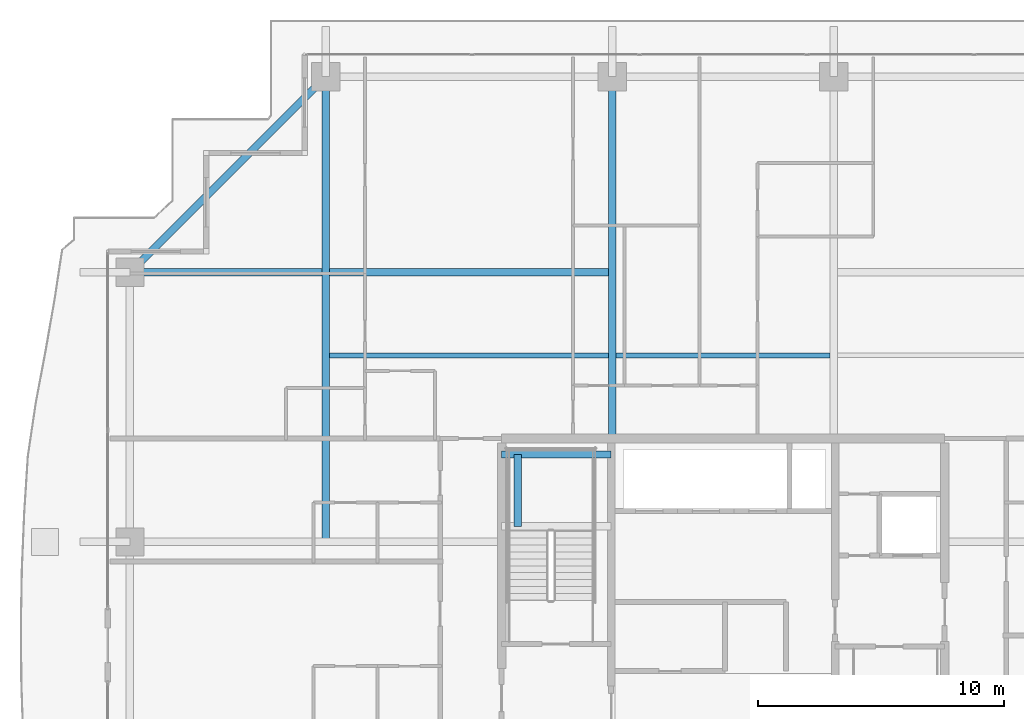
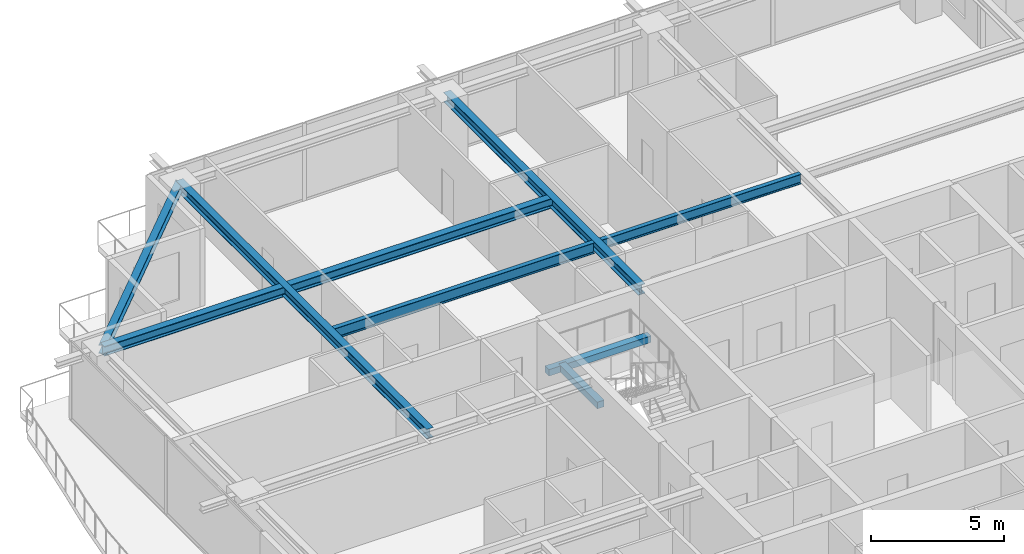
# One storey, part 18 of 36: 8 beams.
"""IFC4 building model written with IfcOpenShell, lengths in metres."""

from ifc_helpers import new_model, si_unit, direction, frame, origin, origin_2d, place, context, subcontext, project, spatial, rectangle, i_section, extrude, source, transform, mapped, material, material_profile, profile_set, type_object, element, save


model = new_model("IFC4")

# Units and contexts
model_context = context("Model", 3, precision=1e-05, world=origin(), true_north=direction((0.0, 1.0)))
body_context = subcontext(model_context, "Body", "Model", "MODEL_VIEW")
ifc_project = project(units=[si_unit("LENGTHUNIT", "METRE"), si_unit("AREAUNIT", "SQUARE_METRE"), si_unit("VOLUMEUNIT", "CUBIC_METRE"), si_unit("PLANEANGLEUNIT", "RADIAN"), si_unit("MASSUNIT", "GRAM", prefix="KILO")], contexts=[model_context])

# Site, building, storey
site_placement = place(None, origin())
site = spatial("IfcSite", under=ifc_project, at=site_placement, CompositionType="ELEMENT")
building_placement = place(site_placement, origin())
building = spatial("IfcBuilding", under=site, at=building_placement, Name="Serunith Strait Residences", CompositionType="ELEMENT")
storey_placement = place(building_placement, frame((0.0, 0.0, 272.050048828125)))
storey = spatial("IfcBuildingStorey", under=building, at=storey_placement, Name="L68", CompositionType="ELEMENT", Elevation=272.050048828125)

# Beams
ifc_material_1 = material(Name="Steel S355J2", Category="steel")
ifc_material_profile_1 = material_profile(ifc_material_1, i_section(OverallWidth=0.18994140625, OverallDepth=0.449951171875, WebThickness=0.009521484375, FlangeThickness=0.0146484375, FilletRadius=0.02099609375, at=origin_2d()), Name="IPE 450")
ifc_profile_set_1 = profile_set([ifc_material_profile_1], Name="Steel S355J2")
beam_type_1 = type_object("IfcBeamType", Name="BM-IPE450", PredefinedType="JOIST", material=ifc_profile_set_1)
shared_shape_1 = source(origin(), body_context, "Body", "SweptSolid", [
    extrude(i_section(OverallWidth=0.18994140625, OverallDepth=0.449951171875, WebThickness=0.009521484375, FlangeThickness=0.0146484375, FilletRadius=0.02099609375, at=origin_2d()), origin(), (0.0, 0.0, 1.0), 8.699951171875),
])
beam_1_placement = place(storey_placement, frame((28.050048828125, 36.97509765625, 3.362060546875), z_axis=(1.0, 0.0, 0.0), x_axis=(0.0, 1.0, 0.0)))
element("IfcBeam", 1, at=beam_1_placement, inside=storey, type_object=beam_type_1, Name="L68 Composite Floor Joist 05", PredefinedType="JOIST", context=body_context, shape_type="MappedRepresentation", body=[
    mapped(shared_shape_1, transform((0.0, 0.0, 0.0), scale=1.0)),
])
ifc_material_profile_2 = material_profile(ifc_material_1, i_section(OverallWidth=0.300048828125, OverallDepth=0.449951171875, WebThickness=0.013916015625, FlangeThickness=0.02587890625, FilletRadius=0.027099609375, at=origin_2d()), Name="HEB 450")
ifc_profile_set_2 = profile_set([ifc_material_profile_2], Name="Steel S355J2")
beam_type_2 = type_object("IfcBeamType", Name="BM-HEB450", PredefinedType="BEAM", material=ifc_profile_set_2)
shared_shape_2 = source(origin(), body_context, "Body", "SweptSolid", [
    extrude(i_section(OverallWidth=0.300048828125, OverallDepth=0.449951171875, WebThickness=0.013916015625, FlangeThickness=0.02587890625, FilletRadius=0.027099609375, at=origin_2d()), origin(), (0.0, 0.0, 1.0), 14.699951171875),
])
beam_2_placement = place(storey_placement, frame((27.89990234375, 33.60009765625, 3.362060546875), z_axis=(0.0, 1.0, 0.0), x_axis=(-1.0, 0.0, 0.0)))
element("IfcBeam", 2, at=beam_2_placement, inside=storey, type_object=beam_type_2, Name="L68 Primary Floor Girder TC-N2", PredefinedType="BEAM", context=body_context, shape_type="MappedRepresentation", body=[
    mapped(shared_shape_2, transform((0.0, 0.0, 0.0), scale=1.0)),
])
shared_shape_3 = source(origin(), body_context, "Body", "SweptSolid", [
    extrude(i_section(OverallWidth=0.300048828125, OverallDepth=0.449951171875, WebThickness=0.013916015625, FlangeThickness=0.02587890625, FilletRadius=0.027099609375, at=origin_2d()), origin(), (0.0, 0.0, 1.0), 18.900146484375),
])
beam_3_placement = place(storey_placement, frame((16.25, 29.39990234375, 3.362060546875), z_axis=(0.0, 1.0, 0.0), x_axis=(-1.0, 0.0, 0.0)))
element("IfcBeam", 3, at=beam_3_placement, inside=storey, type_object=beam_type_2, Name="L68 Orthogonal Corner Girder TC-N1", PredefinedType="BEAM", context=body_context, shape_type="MappedRepresentation", body=[
    mapped(shared_shape_3, transform((0.0, 0.0, 0.0), scale=1.0)),
])
shared_shape_4 = source(origin(), body_context, "Body", "SweptSolid", [
    extrude(i_section(OverallWidth=0.300048828125, OverallDepth=0.449951171875, WebThickness=0.013916015625, FlangeThickness=0.02587890625, FilletRadius=0.027099609375, at=origin_2d()), origin(), (0.0, 0.0, 1.0), 19.599853515625),
])
beam_4_placement = place(storey_placement, frame((27.89990234375, 40.35009765625, 3.362060546875), z_axis=(-1.0, 0.0, 0.0), x_axis=(0.0, -1.0, 0.0)))
element("IfcBeam", 4, at=beam_4_placement, inside=storey, type_object=beam_type_2, Name="L68 Orthogonal Corner Girder TC-W4", PredefinedType="BEAM", context=body_context, shape_type="MappedRepresentation", body=[
    mapped(shared_shape_4, transform((0.0, 0.0, 0.0), scale=1.0)),
])
ifc_material_profile_3 = material_profile(ifc_material_1, i_section(OverallWidth=0.300048828125, OverallDepth=0.39990234375, WebThickness=0.013427734375, FlangeThickness=0.02392578125, FilletRadius=0.027099609375, at=origin_2d()), Name="HEB 400")
ifc_profile_set_3 = profile_set([ifc_material_profile_3], Name="Steel S355J2")
beam_type_3 = type_object("IfcBeamType", Name="BM-HEB400", PredefinedType="BEAM", material=ifc_profile_set_3)
shared_shape_5 = source(origin(), body_context, "Body", "SweptSolid", [
    extrude(i_section(OverallWidth=0.300048828125, OverallDepth=0.39990234375, WebThickness=0.013427734375, FlangeThickness=0.02392578125, FilletRadius=0.027099609375, at=origin_2d()), origin(), (0.0, 0.0, 1.0), 11.242919921875),
])
beam_5_placement = place(storey_placement, frame((16.25, 48.300048828125, 3.35693359375), z_axis=(-0.707106781187, -0.707106781187, 0.0), x_axis=(0.707106781187, -0.707106781187, 0.0)))
element("IfcBeam", 5, at=beam_5_placement, inside=storey, type_object=beam_type_3, Name="L68 Perimeter Ring Beam 12", PredefinedType="BEAM", context=body_context, shape_type="MappedRepresentation", body=[
    mapped(shared_shape_5, transform((0.0, 0.0, 0.0), scale=1.0)),
])
ifc_material_profile_4 = material_profile(ifc_material_1, i_section(OverallWidth=0.199951171875, OverallDepth=0.5, WebThickness=0.01025390625, FlangeThickness=0.01611328125, FilletRadius=0.02099609375, at=origin_2d()), Name="IPE 500")
ifc_profile_set_4 = profile_set([ifc_material_profile_4], Name="Steel S355J2")
beam_type_4 = type_object("IfcBeamType", Name="BM-IPE500", PredefinedType="JOIST", material=ifc_profile_set_4)
shared_shape_6 = source(origin(), body_context, "Body", "SweptSolid", [
    extrude(i_section(OverallWidth=0.199951171875, OverallDepth=0.5, WebThickness=0.01025390625, FlangeThickness=0.01611328125, FilletRadius=0.02099609375, at=origin_2d()), origin(), (0.0, 0.0, 1.0), 11.35009765625),
])
beam_6_placement = place(storey_placement, frame((16.39990234375, 36.97509765625, 3.3369140625), z_axis=(1.0, 0.0, 0.0), x_axis=(0.0, 1.0, 0.0)))
element("IfcBeam", 6, at=beam_6_placement, inside=storey, type_object=beam_type_4, Name="L68 Composite Floor Joist 04", PredefinedType="JOIST", context=body_context, shape_type="MappedRepresentation", body=[
    mapped(shared_shape_6, transform((0.0, 0.0, 0.0), scale=1.0)),
])
ifc_material_2 = material(Name="Concrete C60/75", Category="concrete")
ifc_material_profile_5 = material_profile(ifc_material_2, rectangle(XDim=0.300048828125, YDim=0.300048828125, at=origin_2d()), Name="RC 300x300")
ifc_profile_set_5 = profile_set([ifc_material_profile_5], Name="Concrete C60/75")
beam_type_5 = type_object("IfcBeamType", Name="BM-LAND-300x300", PredefinedType="BEAM", material=ifc_profile_set_5)
shared_shape_7 = source(origin(), body_context, "Body", "SweptSolid", [
    extrude(rectangle(XDim=0.300048828125, YDim=0.300048828125, at=origin_2d()), origin(), (0.0, 0.0, 1.0), 4.4501953125),
])
beam_7_placement = place(storey_placement, frame((23.39990234375, 32.949951171875, 1.574951171875), z_axis=(1.0, 0.0, 0.0), x_axis=(0.0, 1.0, 0.0)))
element("IfcBeam", 7, at=beam_7_placement, inside=storey, type_object=beam_type_5, Name="L68 ST-1 Landing Support Beam 2", PredefinedType="BEAM", context=body_context, shape_type="MappedRepresentation", body=[
    mapped(shared_shape_7, transform((0.0, 0.0, 0.0), scale=1.0)),
])
shared_shape_8 = source(origin(), body_context, "Body", "SweptSolid", [
    extrude(rectangle(XDim=0.300048828125, YDim=0.300048828125, at=origin_2d()), origin(), (0.0, 0.0, 1.0), 2.919921875),
])
beam_8_placement = place(storey_placement, frame((24.050048828125, 30.030029296875, 1.574951171875), z_axis=(0.0, 1.0, 0.0), x_axis=(-1.0, 0.0, 0.0)))
element("IfcBeam", 8, at=beam_8_placement, inside=storey, type_object=beam_type_5, Name="L68 ST-1 Landing Transverse Tie Beam", PredefinedType="BEAM", context=body_context, shape_type="MappedRepresentation", body=[
    mapped(shared_shape_8, transform((0.0, 0.0, 0.0), scale=1.0)),
])

save(model, "model.ifc")
